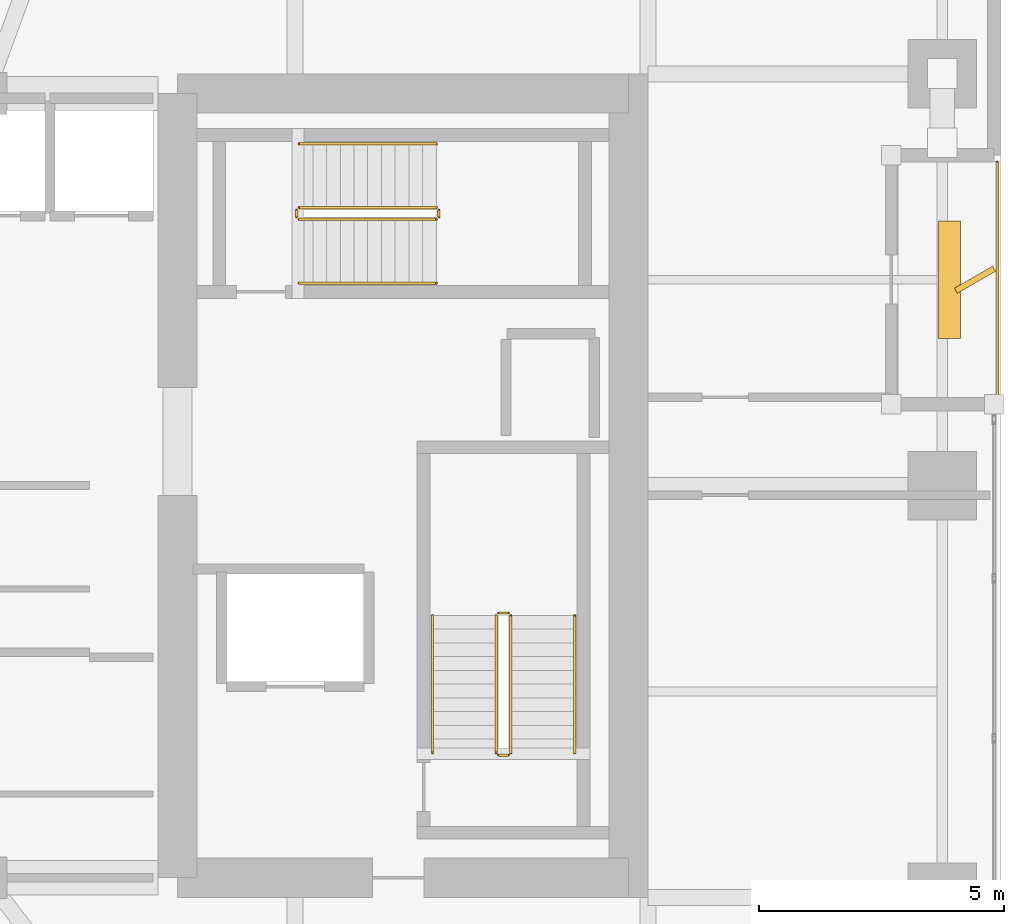
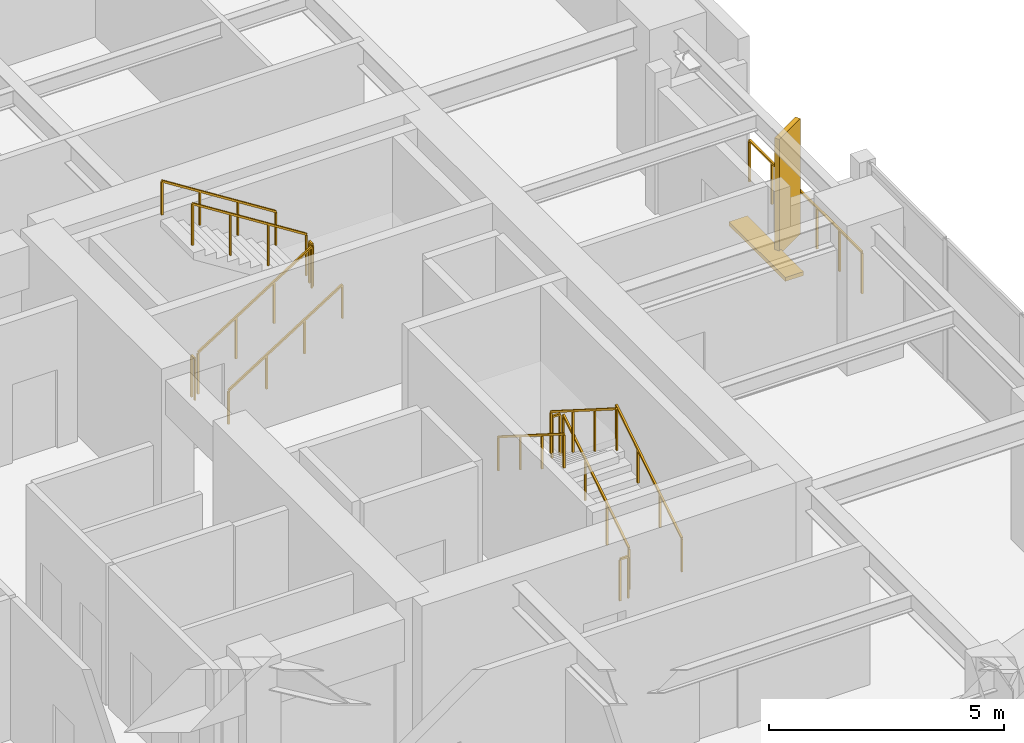
# One storey, part 29 of 30: 13 railings, 2 shading devices.
"""IFC4 building model written with IfcOpenShell, lengths in metres."""

from ifc_helpers import new_model, si_unit, direction, frame, origin, origin_2d, place, context, subcontext, project, spatial, rectangle, extrude, material, type_object, element, save


model = new_model("IFC4")

# Units and contexts
model_context = context("Model", 3, precision=1e-05, world=origin(), true_north=direction((0.0, 1.0)))
body_context = subcontext(model_context, "Body", "Model", "MODEL_VIEW")
ifc_project = project(units=[si_unit("LENGTHUNIT", "METRE"), si_unit("AREAUNIT", "SQUARE_METRE"), si_unit("VOLUMEUNIT", "CUBIC_METRE"), si_unit("PLANEANGLEUNIT", "RADIAN"), si_unit("MASSUNIT", "GRAM", prefix="KILO")], contexts=[model_context])

# Site, building, storey
site_placement = place(None, origin())
site = spatial("IfcSite", under=ifc_project, at=site_placement, CompositionType="ELEMENT")
building_placement = place(site_placement, origin())
building = spatial("IfcBuilding", under=site, at=building_placement, Name="Kiyonajd Concourse Tower", CompositionType="ELEMENT")
storey_placement = place(building_placement, frame((0.0, 0.0, 154.5)))
storey = spatial("IfcBuildingStorey", under=building, at=storey_placement, Name="L39", CompositionType="ELEMENT", Elevation=154.5)

# Railings
ifc_material_1 = material(Name="Thermally Broken Anodised Aluminium", Category="aluminium")
railing_type_1 = type_object("IfcRailingType", Name="RL-GRD-LOG", PredefinedType="GUARDRAIL", material=ifc_material_1)
railing_1_placement = place(storey_placement, frame((70.719970703125, 37.800048828125, 0.0)))
element("IfcRailing", 1, at=railing_1_placement, inside=storey, type_object=railing_type_1, Name="L39 Engawa Loggia Perimeter Guard LOG-E", PredefinedType="GUARDRAIL", context=body_context, shape_type="SweptSolid", body=[
    extrude(rectangle(XDim=0.048095703125, YDim=0.048095703125, at=origin_2d()), frame((0.0, 0.0, 1.076171875), z_axis=(0.0, 1.0, 0.0), x_axis=(-1.0, 0.0, 0.0)), (0.0, 0.0, 1.0), 4.800048828125),
    extrude(rectangle(XDim=0.0419921875, YDim=0.0419921875, at=origin_2d()), origin(), (0.0, 0.0, 1.0), 1.052001953125),
    extrude(rectangle(XDim=0.0419921875, YDim=0.0419921875, at=origin_2d()), frame((0.0, 0.9599609375, 0.0)), (0.0, 0.0, 1.0), 1.052001953125),
    extrude(rectangle(XDim=0.0419921875, YDim=0.0419921875, at=origin_2d()), frame((0.0, 1.919921875, 0.0)), (0.0, 0.0, 1.0), 1.052001953125),
    extrude(rectangle(XDim=0.0419921875, YDim=0.0419921875, at=origin_2d()), frame((0.0, 2.880126953125, 0.0)), (0.0, 0.0, 1.0), 1.052001953125),
    extrude(rectangle(XDim=0.0419921875, YDim=0.0419921875, at=origin_2d()), frame((0.0, 3.840087890625, 0.0)), (0.0, 0.0, 1.0), 1.052001953125),
    extrude(rectangle(XDim=0.0419921875, YDim=0.0419921875, at=origin_2d()), frame((0.0, 4.800048828125, 0.0)), (0.0, 0.0, 1.0), 1.052001953125),
])
ifc_material_2 = material(Name="Steel ASTM A500 Grade C", Category="steel")
railing_type_2 = type_object("IfcRailingType", Name="RL-GRD-STR", PredefinedType="GUARDRAIL", material=ifc_material_2)
railing_2_placement = place(storey_placement, frame((60.800048828125, 30.550048828125, 0.17724609375)))
element("IfcRailing", 2, at=railing_2_placement, inside=storey, type_object=railing_type_2, Name="L39 ST2 stair guard 1", PredefinedType="GUARDRAIL", context=body_context, shape_type="SweptSolid", body=[
    extrude(rectangle(XDim=0.048095703125, YDim=0.048095703125, at=origin_2d()), frame((0.0, 0.0, 1.076171875), z_axis=(0.0, 0.844908973607, 0.534910110503), x_axis=(-1.0, 0.0, 0.0)), (0.0, 0.0, 1.0), 3.31396484375),
    extrude(rectangle(XDim=0.0419921875, YDim=0.0419921875, at=origin_2d()), origin(), (0.0, 0.0, 1.0), 1.052001953125),
    extrude(rectangle(XDim=0.0419921875, YDim=0.0419921875, at=origin_2d()), frame((0.0, 0.933349609375, 0.5908203125)), (0.0, 0.0, 1.0), 1.052001953125),
    extrude(rectangle(XDim=0.0419921875, YDim=0.0419921875, at=origin_2d()), frame((0.0, 1.86669921875, 1.181884765625)), (0.0, 0.0, 1.0), 1.052001953125),
    extrude(rectangle(XDim=0.0419921875, YDim=0.0419921875, at=origin_2d()), frame((0.0, 2.800048828125, 1.772705078125)), (0.0, 0.0, 1.0), 1.052001953125),
])
railing_3_placement = place(storey_placement, frame((60.75, 33.39990234375, 1.949951171875)))
element("IfcRailing", 3, at=railing_3_placement, inside=storey, type_object=railing_type_2, Name="L39 ST2 stair guard 2", PredefinedType="GUARDRAIL", context=body_context, shape_type="SweptSolid", body=[
    extrude(rectangle(XDim=0.048095703125, YDim=0.048095703125, at=origin_2d()), frame((0.0, 0.0, 1.076171875), z_axis=(-1.0, 0.0, 0.0), x_axis=(0.0, -1.0, 0.0)), (0.0, 0.0, 1.0), 0.199951171875),
    extrude(rectangle(XDim=0.0419921875, YDim=0.0419921875, at=origin_2d()), origin(), (0.0, 0.0, 1.0), 1.052001953125),
    extrude(rectangle(XDim=0.0419921875, YDim=0.0419921875, at=origin_2d()), frame((-0.199951171875, 0.0, 0.0)), (0.0, 0.0, 1.0), 1.052001953125),
])
railing_4_placement = place(storey_placement, frame((60.5, 33.35009765625, 2.127197265625)))
element("IfcRailing", 4, at=railing_4_placement, inside=storey, type_object=railing_type_2, Name="L39 ST2 stair guard 3", PredefinedType="GUARDRAIL", context=body_context, shape_type="SweptSolid", body=[
    extrude(rectangle(XDim=0.048095703125, YDim=0.048095703125, at=origin_2d()), frame((0.0, 0.0, 1.076171875), z_axis=(0.0, -0.844908973607, 0.534910110503), x_axis=(1.0, 0.0, 0.0)), (0.0, 0.0, 1.0), 3.31396484375),
    extrude(rectangle(XDim=0.0419921875, YDim=0.0419921875, at=origin_2d()), origin(), (0.0, 0.0, 1.0), 1.052001953125),
    extrude(rectangle(XDim=0.0419921875, YDim=0.0419921875, at=origin_2d()), frame((0.0, -0.933349609375, 0.5908203125)), (0.0, 0.0, 1.0), 1.052001953125),
    extrude(rectangle(XDim=0.0419921875, YDim=0.0419921875, at=origin_2d()), frame((0.0, -1.86669921875, 1.181884765625)), (0.0, 0.0, 1.0), 1.052001953125),
    extrude(rectangle(XDim=0.0419921875, YDim=0.0419921875, at=origin_2d()), frame((0.0, -2.800048828125, 1.772705078125)), (0.0, 0.0, 1.0), 1.052001953125),
])
railing_5_placement = place(storey_placement, frame((60.75, 30.5, 0.0)))
element("IfcRailing", 5, at=railing_5_placement, inside=storey, type_object=railing_type_2, Name="L39 ST2 stair guard 4", PredefinedType="GUARDRAIL", context=body_context, shape_type="SweptSolid", body=[
    extrude(rectangle(XDim=0.048095703125, YDim=0.048095703125, at=origin_2d()), frame((0.0, 0.0, 1.076171875), z_axis=(-1.0, 0.0, 0.0), x_axis=(0.0, -1.0, 0.0)), (0.0, 0.0, 1.0), 0.199951171875),
    extrude(rectangle(XDim=0.0419921875, YDim=0.0419921875, at=origin_2d()), origin(), (0.0, 0.0, 1.0), 1.052001953125),
    extrude(rectangle(XDim=0.0419921875, YDim=0.0419921875, at=origin_2d()), frame((-0.199951171875, 0.0, 0.0)), (0.0, 0.0, 1.0), 1.052001953125),
])
railing_6_placement = place(storey_placement, frame((56.47998046875, 41.429931640625, 0.17724609375)))
element("IfcRailing", 6, at=railing_6_placement, inside=storey, type_object=railing_type_2, Name="L39 ST3 stair guard 1", PredefinedType="GUARDRAIL", context=body_context, shape_type="SweptSolid", body=[
    extrude(rectangle(XDim=0.048095703125, YDim=0.048095703125, at=origin_2d()), frame((0.0, 0.0, 1.076171875), z_axis=(0.844908973607, 0.0, 0.534910110503), x_axis=(0.0, 1.0, 0.0)), (0.0, 0.0, 1.0), 3.31396484375),
    extrude(rectangle(XDim=0.0419921875, YDim=0.0419921875, at=origin_2d()), origin(), (0.0, 0.0, 1.0), 1.052001953125),
    extrude(rectangle(XDim=0.0419921875, YDim=0.0419921875, at=origin_2d()), frame((0.933349609375, 0.0, 0.5908203125)), (0.0, 0.0, 1.0), 1.052001953125),
    extrude(rectangle(XDim=0.0419921875, YDim=0.0419921875, at=origin_2d()), frame((1.86669921875, 0.0, 1.181884765625)), (0.0, 0.0, 1.0), 1.052001953125),
    extrude(rectangle(XDim=0.0419921875, YDim=0.0419921875, at=origin_2d()), frame((2.800048828125, 0.0, 1.772705078125)), (0.0, 0.0, 1.0), 1.052001953125),
])
railing_7_placement = place(storey_placement, frame((59.330078125, 41.47998046875, 1.949951171875)))
element("IfcRailing", 7, at=railing_7_placement, inside=storey, type_object=railing_type_2, Name="L39 ST3 stair guard 2", PredefinedType="GUARDRAIL", context=body_context, shape_type="SweptSolid", body=[
    extrude(rectangle(XDim=0.048095703125, YDim=0.048095703125, at=origin_2d()), frame((0.0, 0.0, 1.076171875), z_axis=(0.0, 1.0, 0.0), x_axis=(-1.0, 0.0, 0.0)), (0.0, 0.0, 1.0), 0.14013671875),
    extrude(rectangle(XDim=0.0419921875, YDim=0.0419921875, at=origin_2d()), origin(), (0.0, 0.0, 1.0), 1.052001953125),
    extrude(rectangle(XDim=0.0419921875, YDim=0.0419921875, at=origin_2d()), frame((0.0, 0.14013671875, 0.0)), (0.0, 0.0, 1.0), 1.052001953125),
])
railing_8_placement = place(storey_placement, frame((59.280029296875, 41.669921875, 2.127197265625)))
element("IfcRailing", 8, at=railing_8_placement, inside=storey, type_object=railing_type_2, Name="L39 ST3 stair guard 3", PredefinedType="GUARDRAIL", context=body_context, shape_type="SweptSolid", body=[
    extrude(rectangle(XDim=0.048095703125, YDim=0.048095703125, at=origin_2d()), frame((0.0, 0.0, 1.076171875), z_axis=(-0.844908973607, 0.0, 0.534910110503), x_axis=(0.0, -1.0, 0.0)), (0.0, 0.0, 1.0), 3.31396484375),
    extrude(rectangle(XDim=0.0419921875, YDim=0.0419921875, at=origin_2d()), origin(), (0.0, 0.0, 1.0), 1.052001953125),
    extrude(rectangle(XDim=0.0419921875, YDim=0.0419921875, at=origin_2d()), frame((-0.933349609375, 0.0, 0.5908203125)), (0.0, 0.0, 1.0), 1.052001953125),
    extrude(rectangle(XDim=0.0419921875, YDim=0.0419921875, at=origin_2d()), frame((-1.86669921875, 0.0, 1.181884765625)), (0.0, 0.0, 1.0), 1.052001953125),
    extrude(rectangle(XDim=0.0419921875, YDim=0.0419921875, at=origin_2d()), frame((-2.800048828125, 0.0, 1.772705078125)), (0.0, 0.0, 1.0), 1.052001953125),
])
railing_9_placement = place(storey_placement, frame((56.429931640625, 41.47998046875, 0.0)))
element("IfcRailing", 9, at=railing_9_placement, inside=storey, type_object=railing_type_2, Name="L39 ST3 stair guard 4", PredefinedType="GUARDRAIL", context=body_context, shape_type="SweptSolid", body=[
    extrude(rectangle(XDim=0.048095703125, YDim=0.048095703125, at=origin_2d()), frame((0.0, 0.0, 1.076171875), z_axis=(0.0, 1.0, 0.0), x_axis=(-1.0, 0.0, 0.0)), (0.0, 0.0, 1.0), 0.14013671875),
    extrude(rectangle(XDim=0.0419921875, YDim=0.0419921875, at=origin_2d()), origin(), (0.0, 0.0, 1.0), 1.052001953125),
    extrude(rectangle(XDim=0.0419921875, YDim=0.0419921875, at=origin_2d()), frame((0.0, 0.14013671875, 0.0)), (0.0, 0.0, 1.0), 1.052001953125),
])
ifc_material_3 = material(Name="Brushed Stainless Steel Cab Assembly", Category="steel")
railing_type_3 = type_object("IfcRailingType", Name="RL-HND-900", PredefinedType="HANDRAIL", material=ifc_material_3)
railing_10_placement = place(storey_placement, frame((62.10009765625, 30.550048828125, 0.17724609375)))
element("IfcRailing", 10, at=railing_10_placement, inside=storey, type_object=railing_type_3, Name="L39 ST2 stair handrail 1", PredefinedType="HANDRAIL", context=body_context, shape_type="SweptSolid", body=[
    extrude(rectangle(XDim=0.048095703125, YDim=0.048095703125, at=origin_2d()), frame((0.0, 0.0, 0.8759765625), z_axis=(0.0, 0.844908973607, 0.534910110503), x_axis=(-1.0, 0.0, 0.0)), (0.0, 0.0, 1.0), 3.31396484375),
    extrude(rectangle(XDim=0.0419921875, YDim=0.0419921875, at=origin_2d()), origin(), (0.0, 0.0, 1.0), 0.851806640625),
    extrude(rectangle(XDim=0.0419921875, YDim=0.0419921875, at=origin_2d()), frame((0.0, 0.933349609375, 0.5908203125)), (0.0, 0.0, 1.0), 0.851806640625),
    extrude(rectangle(XDim=0.0419921875, YDim=0.0419921875, at=origin_2d()), frame((0.0, 1.86669921875, 1.181884765625)), (0.0, 0.0, 1.0), 0.851806640625),
    extrude(rectangle(XDim=0.0419921875, YDim=0.0419921875, at=origin_2d()), frame((0.0, 2.800048828125, 1.772705078125)), (0.0, 0.0, 1.0), 0.851806640625),
])
railing_11_placement = place(storey_placement, frame((59.199951171875, 33.35009765625, 2.127197265625)))
element("IfcRailing", 11, at=railing_11_placement, inside=storey, type_object=railing_type_3, Name="L39 ST2 stair handrail 2", PredefinedType="HANDRAIL", context=body_context, shape_type="SweptSolid", body=[
    extrude(rectangle(XDim=0.048095703125, YDim=0.048095703125, at=origin_2d()), frame((0.0, 0.0, 0.8759765625), z_axis=(0.0, -0.844908973607, 0.534910110503), x_axis=(1.0, 0.0, 0.0)), (0.0, 0.0, 1.0), 3.31396484375),
    extrude(rectangle(XDim=0.0419921875, YDim=0.0419921875, at=origin_2d()), origin(), (0.0, 0.0, 1.0), 0.851806640625),
    extrude(rectangle(XDim=0.0419921875, YDim=0.0419921875, at=origin_2d()), frame((0.0, -0.933349609375, 0.5908203125)), (0.0, 0.0, 1.0), 0.851806640625),
    extrude(rectangle(XDim=0.0419921875, YDim=0.0419921875, at=origin_2d()), frame((0.0, -1.86669921875, 1.181884765625)), (0.0, 0.0, 1.0), 0.851806640625),
    extrude(rectangle(XDim=0.0419921875, YDim=0.0419921875, at=origin_2d()), frame((0.0, -2.800048828125, 1.772705078125)), (0.0, 0.0, 1.0), 0.851806640625),
])
railing_12_placement = place(storey_placement, frame((56.47998046875, 40.1298828125, 0.17724609375)))
element("IfcRailing", 12, at=railing_12_placement, inside=storey, type_object=railing_type_3, Name="L39 ST3 stair handrail 1", PredefinedType="HANDRAIL", context=body_context, shape_type="SweptSolid", body=[
    extrude(rectangle(XDim=0.048095703125, YDim=0.048095703125, at=origin_2d()), frame((0.0, 0.0, 0.8759765625), z_axis=(0.844908973607, 0.0, 0.534910110503), x_axis=(0.0, 1.0, 0.0)), (0.0, 0.0, 1.0), 3.31396484375),
    extrude(rectangle(XDim=0.0419921875, YDim=0.0419921875, at=origin_2d()), origin(), (0.0, 0.0, 1.0), 0.851806640625),
    extrude(rectangle(XDim=0.0419921875, YDim=0.0419921875, at=origin_2d()), frame((0.933349609375, 0.0, 0.5908203125)), (0.0, 0.0, 1.0), 0.851806640625),
    extrude(rectangle(XDim=0.0419921875, YDim=0.0419921875, at=origin_2d()), frame((1.86669921875, 0.0, 1.181884765625)), (0.0, 0.0, 1.0), 0.851806640625),
    extrude(rectangle(XDim=0.0419921875, YDim=0.0419921875, at=origin_2d()), frame((2.800048828125, 0.0, 1.772705078125)), (0.0, 0.0, 1.0), 0.851806640625),
])
railing_13_placement = place(storey_placement, frame((59.280029296875, 42.969970703125, 2.127197265625)))
element("IfcRailing", 13, at=railing_13_placement, inside=storey, type_object=railing_type_3, Name="L39 ST3 stair handrail 2", PredefinedType="HANDRAIL", context=body_context, shape_type="SweptSolid", body=[
    extrude(rectangle(XDim=0.048095703125, YDim=0.048095703125, at=origin_2d()), frame((0.0, 0.0, 0.8759765625), z_axis=(-0.844908973607, 0.0, 0.534910110503), x_axis=(0.0, -1.0, 0.0)), (0.0, 0.0, 1.0), 3.31396484375),
    extrude(rectangle(XDim=0.0419921875, YDim=0.0419921875, at=origin_2d()), origin(), (0.0, 0.0, 1.0), 0.851806640625),
    extrude(rectangle(XDim=0.0419921875, YDim=0.0419921875, at=origin_2d()), frame((-0.933349609375, 0.0, 0.5908203125)), (0.0, 0.0, 1.0), 0.851806640625),
    extrude(rectangle(XDim=0.0419921875, YDim=0.0419921875, at=origin_2d()), frame((-1.86669921875, 0.0, 1.181884765625)), (0.0, 0.0, 1.0), 0.851806640625),
    extrude(rectangle(XDim=0.0419921875, YDim=0.0419921875, at=origin_2d()), frame((-2.800048828125, 0.0, 1.772705078125)), (0.0, 0.0, 1.0), 0.851806640625),
])

# Shading devices
ifc_material_4 = material(Name="Precast concrete C50/60", Category="concrete")
shading_device_type_1 = type_object("IfcShadingDeviceType", Name="SH-FIN-900", PredefinedType="USERDEFINED", material=ifc_material_4)
shading_device_1_placement = place(storey_placement, frame((70.27001953125, 40.199951171875, 0.0), z_axis=(0.0, 0.0, 1.0), x_axis=(0.866025403784, 0.5, 0.0)))
element("IfcShadingDevice", 14, at=shading_device_1_placement, inside=storey, type_object=shading_device_type_1, Name="L39 Angled Koshi Solar Fin LOG-E", ObjectType="FIN", PredefinedType="USERDEFINED", context=body_context, shape_type="SweptSolid", body=[
    extrude(rectangle(XDim=0.89990234375, YDim=0.1201171875, at=origin_2d()), origin(), (0.0, 0.0, 1.0), 3.0),
])
shading_device_type_2 = type_object("IfcShadingDeviceType", Name="SH-LVR-600", PredefinedType="JALOUSIE", material=ifc_material_1)
shading_device_2_placement = place(storey_placement, frame((69.75, 40.199951171875, 0.0), z_axis=(0.0, 0.0, 1.0), x_axis=(0.0, 1.0, 0.0)))
element("IfcShadingDevice", 15, at=shading_device_2_placement, inside=storey, type_object=shading_device_type_2, Name="L39 Loggia Threshold Louver LOG-E", PredefinedType="JALOUSIE", context=body_context, shape_type="SweptSolid", body=[
    extrude(rectangle(XDim=2.39990234375, YDim=0.449951171875, at=origin_2d()), origin(), (0.0, 0.0, 1.0), 0.10009765625),
])

save(model, "model.ifc")
